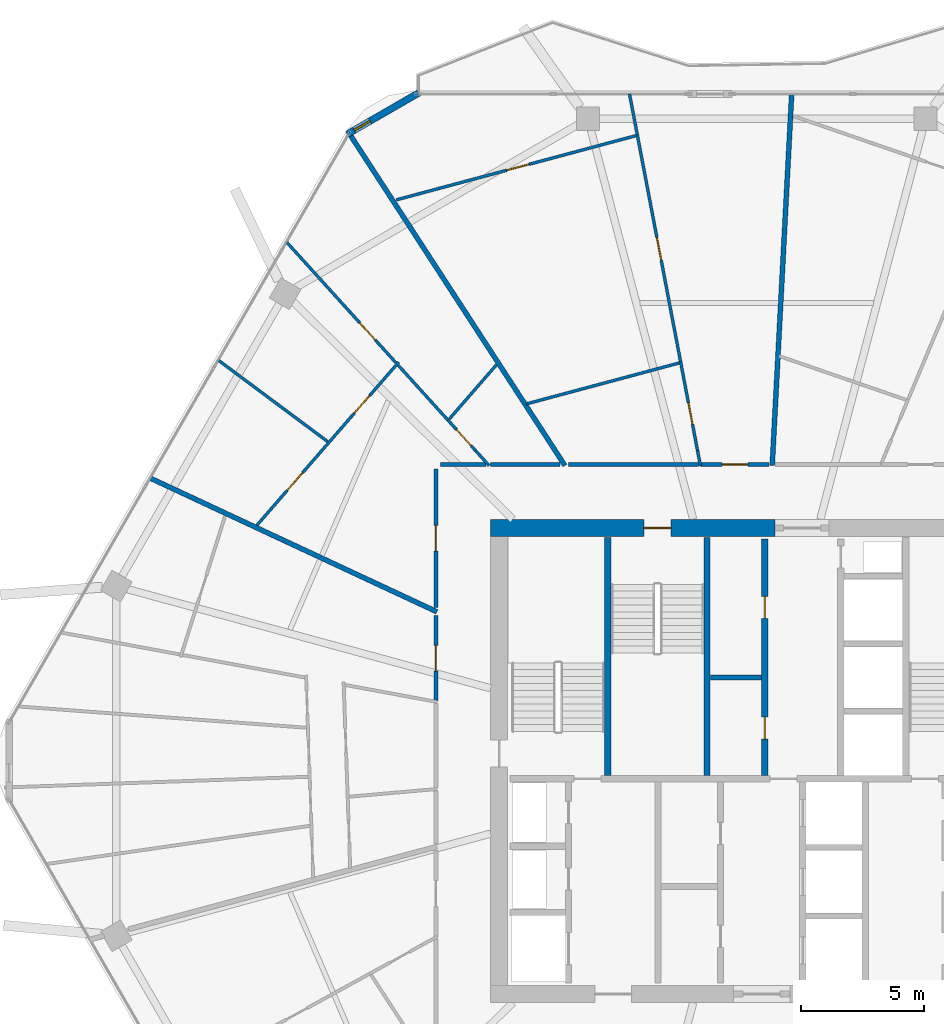
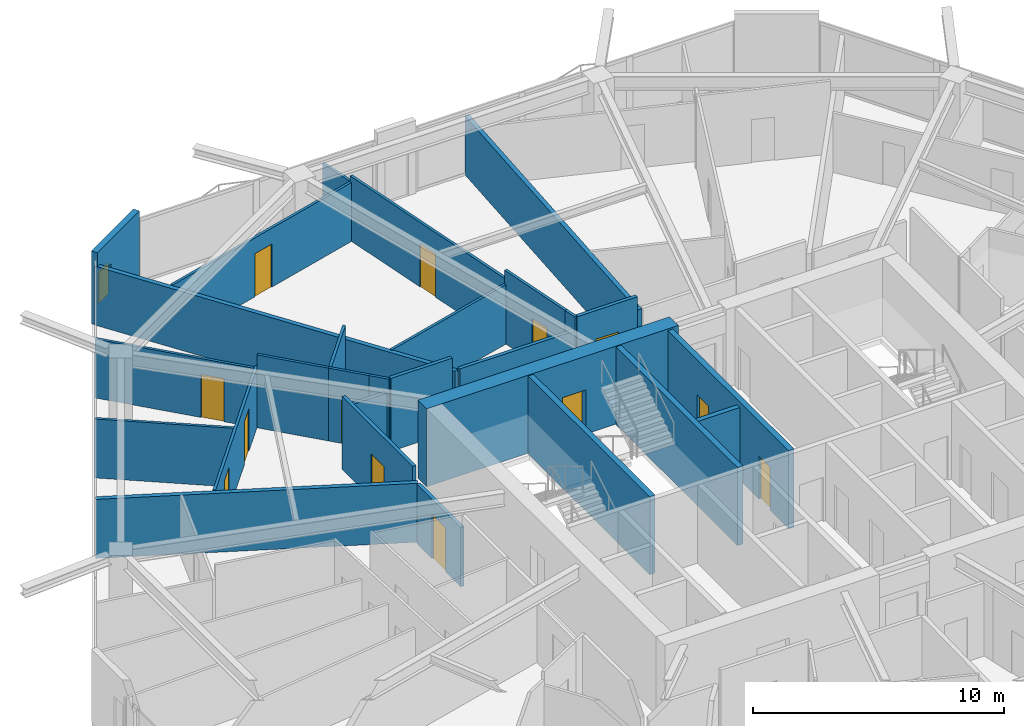
# One storey, part 22 of 27: 28 walls, 13 doors, 1 window, 14 openings.
"""IFC4 building model written with IfcOpenShell, lengths in metres."""

from ifc_helpers import new_model, si_unit, direction, frame, frame_2d, origin, place, context, subcontext, project, spatial, rectangle, extrude, material, layer, layer_set, type_object, element, fill, save


model = new_model("IFC4")

# Units and contexts
model_context = context("Model", 3, precision=1e-05, world=origin(), true_north=direction((0.0, 1.0)))
body_context = subcontext(model_context, "Body", "Model", "MODEL_VIEW")
ifc_project = project(units=[si_unit("LENGTHUNIT", "METRE"), si_unit("AREAUNIT", "SQUARE_METRE"), si_unit("VOLUMEUNIT", "CUBIC_METRE"), si_unit("PLANEANGLEUNIT", "RADIAN"), si_unit("MASSUNIT", "GRAM", prefix="KILO")], contexts=[model_context])

# Site, building, storey
site_placement = place(None, origin())
site = spatial("IfcSite", under=ifc_project, at=site_placement, CompositionType="ELEMENT")
building_placement = place(site_placement, origin())
building = spatial("IfcBuilding", under=site, at=building_placement, Name="Zuhravey Tower", CompositionType="ELEMENT")
storey_placement = place(building_placement, frame((0.0, 0.0, 218.800048828125)))
storey = spatial("IfcBuildingStorey", under=building, at=storey_placement, Name="L55", CompositionType="ELEMENT", Elevation=218.800048828125)

# Wall, opening, door
ifc_material_1 = material(Name="Concrete C60/75", Category="concrete")
ifc_layer_1 = layer(ifc_material_1, 0.699951171875)
ifc_layer_set_1 = layer_set([ifc_layer_1], Name="Concrete C60/75")
wall_type_1 = type_object("IfcWallType", Name="Core Shear Wall 700", PredefinedType="SHEAR", material=ifc_layer_set_1)
wall_1_placement = place(storey_placement, frame((36.75, 41.5, 0.0), z_axis=(0.0, 0.0, 1.0), x_axis=(-1.0, 0.0, 0.0)))
wall_1 = element("IfcWall", 1, at=wall_1_placement, inside=storey, type_object=wall_type_1, Name="L55 North-West Core Shear Wall CW70", PredefinedType="SHEAR", context=body_context, shape_type="SweptSolid", body=[
    extrude(rectangle(XDim=11.60009765625, YDim=0.699951171875, at=frame_2d((5.800048828125, 0.0))), origin(), (0.0, 0.0, 1.0), 3.800048828125),
])
opening_1_placement = place(wall_1_placement, frame((4.25, 0.0, 0.0)))
opening_1 = element("IfcOpeningElement", 2, at=opening_1_placement, cuts=wall_1, Name="Opening STD1", PredefinedType="OPENING", context=body_context, shape_type="SweptSolid", body=[
    extrude(rectangle(XDim=1.10009765625, YDim=2.14990234375, at=frame_2d((0.550048828125, 1.074951171875))), frame((0.0, 0.362060546875, 0.0), z_axis=(0.0, -1.0, 0.0), x_axis=(1.0, 0.0, 0.0)), (0.0, 0.0, 1.0), 0.723876953125),
])
ifc_material_2 = material(Name="Galvanised fire-rated steel leaf", Category="steel")
door_type_1 = type_object("IfcDoorType", Name="Protected Stair Fire Door 1100x2150", OperationType="NOTDEFINED", PredefinedType="USERDEFINED", material=ifc_material_2)
door_1_placement = place(opening_1_placement, origin())
door_1 = element("IfcDoor", 3, at=door_1_placement, inside=storey, type_object=door_type_1, Name="L55 Stair ST3 Door", ObjectType="EXITDOOR", OperationType="SINGLE_SWING_LEFT", OverallHeight=2.14990234375, OverallWidth=1.10009765625, PredefinedType="USERDEFINED", context=body_context, shape_type="SweptSolid", body=[
    extrude(rectangle(XDim=1.10009765625, YDim=2.14990234375, at=frame_2d((0.550048828125, 1.074951171875))), frame((0.0, 0.02490234375, 0.0), z_axis=(0.0, -1.0, 0.0), x_axis=(1.0, 0.0, 0.0)), (0.0, 0.0, 1.0), 0.050048828125),
])
fill(opening_1, door_1)

ifc_material_3 = material(Name="Gypsum fire-rated stud partition")
ifc_layer_2 = layer(ifc_material_3, 0.159912109375)
ifc_layer_set_2 = layer_set([ifc_layer_2], Name="Gypsum fire-rated stud partition")
wall_type_2 = type_object("IfcWallType", Name="Corridor Fire Partition 160", PredefinedType="PARTITIONING", material=ifc_layer_set_2)
wall_2_placement = place(storey_placement, frame((36.50732421875, 44.080078125, 0.0), z_axis=(0.0, 0.0, 1.0), x_axis=(-1.0, 0.0, 0.0)))
wall_2 = element("IfcWall", 4, at=wall_2_placement, inside=storey, type_object=wall_type_2, Name="L55 IW16 Partition 034", PredefinedType="PARTITIONING", context=body_context, shape_type="SweptSolid", body=[
    extrude(rectangle(XDim=2.791259765625, YDim=0.159912109375, at=frame_2d((1.3955078125, 0.0))), origin(), (0.0, 0.0, 1.0), 3.550048828125),
])
opening_2_placement = place(wall_2_placement, frame((0.87060546875, 0.0, 0.0)))
opening_2 = element("IfcOpeningElement", 5, at=opening_2_placement, cuts=wall_2, Name="Opening APD1", PredefinedType="OPENING", context=body_context, shape_type="SweptSolid", body=[
    extrude(rectangle(XDim=1.050048828125, YDim=2.14990234375, at=frame_2d((0.52490234375, 1.074951171875))), frame((0.0, 0.092041015625, 0.0), z_axis=(0.0, -1.0, 0.0), x_axis=(1.0, 0.0, 0.0)), (0.0, 0.0, 1.0), 0.183837890625),
])
ifc_material_4 = material(Name="Solid-core oak fire-rated leaf")
door_type_2 = type_object("IfcDoorType", Name="Apartment Entrance Fire Door 1050x2150", OperationType="NOTDEFINED", PredefinedType="DOOR", material=ifc_material_4)
door_2_placement = place(opening_2_placement, frame((1.050048828125, 0.0, 0.0), z_axis=(0.0, 0.0, 1.0), x_axis=(-1.0, 0.0, 0.0)))
door_2 = element("IfcDoor", 6, at=door_2_placement, inside=storey, type_object=door_type_2, Name="L55 Door 034.1", OperationType="SINGLE_SWING_LEFT", OverallHeight=2.14990234375, OverallWidth=1.050048828125, PredefinedType="DOOR", context=body_context, shape_type="SweptSolid", body=[
    extrude(rectangle(XDim=1.050048828125, YDim=2.14990234375, at=frame_2d((0.52490234375, 1.074951171875))), frame((0.0, 0.02490234375, 0.0), z_axis=(0.0, -1.0, 0.0), x_axis=(1.0, 0.0, 0.0)), (0.0, 0.0, 1.0), 0.050048828125),
])
fill(opening_2, door_2)

wall_3_placement = place(storey_placement, frame((22.919921875, 43.89990234375, 0.0), z_axis=(0.0, 0.0, 1.0), x_axis=(0.0, -1.0, 0.0)))
wall_3 = element("IfcWall", 7, at=wall_3_placement, inside=storey, type_object=wall_type_2, Name="L55 IW16 Partition 039", PredefinedType="PARTITIONING", context=body_context, shape_type="SweptSolid", body=[
    extrude(rectangle(XDim=5.638916015625, YDim=0.159912109375, at=frame_2d((2.8193359375, 0.0))), origin(), (0.0, 0.0, 1.0), 3.550048828125),
])
opening_3_placement = place(wall_3_placement, frame((2.29443359375, 0.0, 0.0)))
opening_3 = element("IfcOpeningElement", 8, at=opening_3_placement, cuts=wall_3, Name="Opening APD1", PredefinedType="OPENING", context=body_context, shape_type="SweptSolid", body=[
    extrude(rectangle(XDim=1.050048828125, YDim=2.14990234375, at=frame_2d((0.52490234375, 1.074951171875))), frame((0.0, 0.092041015625, 0.0), z_axis=(0.0, -1.0, 0.0), x_axis=(1.0, 0.0, 0.0)), (0.0, 0.0, 1.0), 0.183837890625),
])
door_3_placement = place(opening_3_placement, frame((1.050048828125, 0.0, 0.0), z_axis=(0.0, 0.0, 1.0), x_axis=(-1.0, 0.0, 0.0)))
door_3 = element("IfcDoor", 9, at=door_3_placement, inside=storey, type_object=door_type_2, Name="L55 Door 039.1", OperationType="SINGLE_SWING_RIGHT", OverallHeight=2.14990234375, OverallWidth=1.050048828125, PredefinedType="DOOR", context=body_context, shape_type="SweptSolid", body=[
    extrude(rectangle(XDim=1.050048828125, YDim=2.14990234375, at=frame_2d((0.52490234375, 1.074951171875))), frame((0.0, 0.02490234375, 0.0), z_axis=(0.0, -1.0, 0.0), x_axis=(1.0, 0.0, 0.0)), (0.0, 0.0, 1.0), 0.050048828125),
])
fill(opening_3, door_3)

wall_4_placement = place(storey_placement, frame((22.919921875, 37.93896484375, 0.0), z_axis=(0.0, 0.0, 1.0), x_axis=(0.0, -1.0, 0.0)))
wall_4 = element("IfcWall", 10, at=wall_4_placement, inside=storey, type_object=wall_type_2, Name="L55 IW16 Partition 043", PredefinedType="PARTITIONING", context=body_context, shape_type="SweptSolid", body=[
    extrude(rectangle(XDim=3.50390625, YDim=0.159912109375, at=frame_2d((1.751953125, 0.0))), origin(), (0.0, 0.0, 1.0), 2.89990234375),
])
opening_4_placement = place(wall_4_placement, frame((1.226806640625, 0.0, 0.0)))
opening_4 = element("IfcOpeningElement", 11, at=opening_4_placement, cuts=wall_4, Name="Opening APD1", PredefinedType="OPENING", context=body_context, shape_type="SweptSolid", body=[
    extrude(rectangle(XDim=1.050048828125, YDim=2.14990234375, at=frame_2d((0.52490234375, 1.074951171875))), frame((0.0, 0.092041015625, 0.0), z_axis=(0.0, -1.0, 0.0), x_axis=(1.0, 0.0, 0.0)), (0.0, 0.0, 1.0), 0.183837890625),
])
door_4_placement = place(opening_4_placement, frame((1.050048828125, 0.0, 0.0), z_axis=(0.0, 0.0, 1.0), x_axis=(-1.0, 0.0, 0.0)))
door_4 = element("IfcDoor", 12, at=door_4_placement, inside=storey, type_object=door_type_2, Name="L55 Door 043.1", OperationType="SINGLE_SWING_RIGHT", OverallHeight=2.14990234375, OverallWidth=1.050048828125, PredefinedType="DOOR", context=body_context, shape_type="SweptSolid", body=[
    extrude(rectangle(XDim=1.050048828125, YDim=2.14990234375, at=frame_2d((0.52490234375, 1.074951171875))), frame((0.0, 0.02490234375, 0.0), z_axis=(0.0, -1.0, 0.0), x_axis=(1.0, 0.0, 0.0)), (0.0, 0.0, 1.0), 0.050048828125),
])
fill(opening_4, door_4)

# Walls
wall_5_placement = place(storey_placement, frame((33.62646484375, 44.080078125, 0.0), z_axis=(0.0, 0.0, 1.0), x_axis=(-1.0, 0.0, 0.0)))
element("IfcWall", 13, at=wall_5_placement, inside=storey, type_object=wall_type_2, Name="L55 IW16 Partition 116", PredefinedType="PARTITIONING", context=body_context, shape_type="SweptSolid", body=[
    extrude(rectangle(XDim=5.298583984375, YDim=0.159912109375, at=frame_2d((2.6494140625, 0.0))), origin(), (0.0, 0.0, 1.0), 2.89990234375),
])
wall_6_placement = place(storey_placement, frame((24.96240234375, 44.080078125, 0.0), z_axis=(0.0, 0.0, 1.0), x_axis=(-1.0, 0.0, 0.0)))
element("IfcWall", 14, at=wall_6_placement, inside=storey, type_object=wall_type_2, Name="L55 IW16 Partition 117", PredefinedType="PARTITIONING", context=body_context, shape_type="SweptSolid", body=[
    extrude(rectangle(XDim=1.8623046875, YDim=0.159912109375, at=frame_2d((0.93115234375, 0.0))), origin(), (0.0, 0.0, 1.0), 2.89990234375),
])
wall_7_placement = place(storey_placement, frame((27.98046875, 44.080078125, 0.0), z_axis=(0.0, 0.0, 1.0), x_axis=(-1.0, 0.0, 0.0)))
element("IfcWall", 15, at=wall_7_placement, inside=storey, type_object=wall_type_2, Name="L55 IW16 Partition 118", PredefinedType="PARTITIONING", context=body_context, shape_type="SweptSolid", body=[
    extrude(rectangle(XDim=2.835693359375, YDim=0.159912109375, at=frame_2d((1.41796875, 0.0))), origin(), (0.0, 0.0, 1.0), 3.550048828125),
])

# Wall, opening, window
ifc_material_5 = material(Name="Precast concrete C40/50", Category="concrete")
ifc_layer_3 = layer(ifc_material_5, 0.280029296875)
ifc_layer_set_3 = layer_set([ifc_layer_3], Name="Precast concrete C40/50")
wall_type_3 = type_object("IfcWallType", Name="Crown Architectural Wall 280", PredefinedType="SOLIDWALL", material=ifc_layer_set_3)
wall_8_placement = place(storey_placement, frame((19.306884765625, 57.548095703125, 0.0), z_axis=(0.0, 0.0, 1.0), x_axis=(0.866020068361, 0.500009241111, 0.0)))
wall_8 = element("IfcWall", 16, at=wall_8_placement, inside=storey, type_object=wall_type_3, Name="L55 Rounded Corner Closure Wall EW28-08", PredefinedType="SOLIDWALL", context=body_context, shape_type="SweptSolid", body=[
    extrude(rectangle(XDim=3.365234375, YDim=0.280029296875, at=frame_2d((1.6826171875, 0.0))), origin(), (0.0, 0.0, 1.0), 3.550048828125),
])
opening_5_placement = place(wall_8_placement, frame((0.326416015625, 0.0, 0.85009765625)))
opening_5 = element("IfcOpeningElement", 17, at=opening_5_placement, cuts=wall_8, Name="Opening WN5", PredefinedType="OPENING", context=body_context, shape_type="SweptSolid", body=[
    extrude(rectangle(XDim=0.75, YDim=1.5, at=frame_2d((0.375, 0.75))), frame((0.0, 0.152099609375, 0.0), z_axis=(0.0, -1.0, 0.0), x_axis=(1.0, 0.0, 0.0)), (0.0, 0.0, 1.0), 0.303955078125),
])
ifc_material_6 = material(Name="Thermally broken aluminium and triple low-E glass", Category="aluminium")
window_type = type_object("IfcWindowType", Name="Residential Corner Casement Window 750x1500", PartitioningType="SINGLE_PANEL", PredefinedType="WINDOW", material=ifc_material_6)
window_placement = place(opening_5_placement, origin())
window = element("IfcWindow", 18, at=window_placement, inside=storey, type_object=window_type, Name="L55 Corner Casement Window WN5-08.1", OverallHeight=1.5, OverallWidth=0.75, PartitioningType="SINGLE_PANEL", PredefinedType="WINDOW", context=body_context, shape_type="SweptSolid", body=[
    extrude(rectangle(XDim=0.75, YDim=1.5, at=frame_2d((0.375, 0.75))), frame((0.0, 0.030029296875, 0.0), z_axis=(0.0, -1.0, 0.0), x_axis=(1.0, 0.0, 0.0)), (0.0, 0.0, 1.0), 0.06005859375),
])
fill(opening_5, window)

# Walls
ifc_material_7 = material(Name="Concrete C50/60", Category="concrete")
ifc_layer_4 = layer(ifc_material_7, 0.25)
ifc_layer_set_4 = layer_set([ifc_layer_4], Name="Concrete C50/60")
wall_type_4 = type_object("IfcWallType", Name="Firefighting Shaft & Stair Wall 250", PredefinedType="SOLIDWALL", material=ifc_layer_set_4)
for number, where, z_axis, x_axis, name in (
    (19, (29.925048828125, 31.39990234375, 0.0), (0.0, 0.0, 1.0), (0.0, 1.0, 0.0), "L55 FW25 Shaft Wall 004"),
    (20, (33.97509765625, 31.39990234375, 0.0), (0.0, 0.0, 1.0), (0.0, 1.0, 0.0), "L55 FW25 Shaft Wall 005"),
):
    element("IfcWall", number, at=place(storey_placement, frame(where, z_axis=z_axis, x_axis=x_axis)), inside=storey, type_object=wall_type_4, Name=name, PredefinedType="SOLIDWALL", context=body_context, shape_type="SweptSolid", body=[
        extrude(rectangle(XDim=9.7001953125, YDim=0.25, at=frame_2d((4.85009765625, 0.0))), origin(), (0.0, 0.0, 1.0), 3.800048828125),
    ])

# Wall, openings, doors
wall_9_placement = place(storey_placement, frame((36.324951171875, 31.39990234375, 0.0), z_axis=(0.0, 0.0, 1.0), x_axis=(0.0, 1.0, 0.0)))
wall_9 = element("IfcWall", 21, at=wall_9_placement, inside=storey, type_object=wall_type_4, Name="L55 FW25 Shaft Wall 007", PredefinedType="SOLIDWALL", context=body_context, shape_type="SweptSolid", body=[
    extrude(rectangle(XDim=9.650146484375, YDim=0.25, at=frame_2d((4.8251953125, 0.0))), origin(), (0.0, 0.0, 1.0), 3.800048828125),
])
opening_6_placement = place(wall_9_placement, frame((1.489990234375, 0.0, 0.0)))
opening_6 = element("IfcOpeningElement", 22, at=opening_6_placement, cuts=wall_9, Name="Opening RSD1", PredefinedType="OPENING", context=body_context, shape_type="SweptSolid", body=[
    extrude(rectangle(XDim=0.89990234375, YDim=2.10009765625, at=frame_2d((0.449951171875, 1.050048828125))), frame((0.0, 0.136962890625, 0.0), z_axis=(0.0, -1.0, 0.0), x_axis=(1.0, 0.0, 0.0)), (0.0, 0.0, 1.0), 0.27392578125),
])
opening_7_placement = place(wall_9_placement, frame((6.409912109375, 0.0, 0.0)))
opening_7 = element("IfcOpeningElement", 23, at=opening_7_placement, cuts=wall_9, Name="Opening RSD1", PredefinedType="OPENING", context=body_context, shape_type="SweptSolid", body=[
    extrude(rectangle(XDim=0.89990234375, YDim=2.10009765625, at=frame_2d((0.449951171875, 1.050048828125))), frame((0.0, 0.136962890625, 0.0), z_axis=(0.0, -1.0, 0.0), x_axis=(1.0, 0.0, 0.0)), (0.0, 0.0, 1.0), 0.27392578125),
])
ifc_material_8 = material(Name="Galvanised fire-rated steel access leaf", Category="steel")
door_type_3 = type_object("IfcDoorType", Name="Riser & Shaft Access Fire Door 900x2100", OperationType="NOTDEFINED", PredefinedType="DOOR", material=ifc_material_8)
door_5_placement = place(opening_6_placement, origin())
door_5 = element("IfcDoor", 24, at=door_5_placement, inside=storey, type_object=door_type_3, Name="L55 Core Cleaner Store Door", OperationType="SINGLE_SWING_LEFT", OverallHeight=2.10009765625, OverallWidth=0.89990234375, PredefinedType="DOOR", context=body_context, shape_type="SweptSolid", body=[
    extrude(rectangle(XDim=0.89990234375, YDim=2.10009765625, at=frame_2d((0.449951171875, 1.050048828125))), frame((0.0, 0.02490234375, 0.0), z_axis=(0.0, -1.0, 0.0), x_axis=(1.0, 0.0, 0.0)), (0.0, 0.0, 1.0), 0.050048828125),
])
fill(opening_6, door_5)
door_6_placement = place(opening_7_placement, origin())
door_6 = element("IfcDoor", 25, at=door_6_placement, inside=storey, type_object=door_type_3, Name="L55 Core Pantry and Tea Room Door", OperationType="SINGLE_SWING_RIGHT", OverallHeight=2.10009765625, OverallWidth=0.89990234375, PredefinedType="DOOR", context=body_context, shape_type="SweptSolid", body=[
    extrude(rectangle(XDim=0.89990234375, YDim=2.10009765625, at=frame_2d((0.449951171875, 1.050048828125))), frame((0.0, 0.02490234375, 0.0), z_axis=(0.0, -1.0, 0.0), x_axis=(1.0, 0.0, 0.0)), (0.0, 0.0, 1.0), 0.050048828125),
])
fill(opening_7, door_6)

# Walls
ifc_material_9 = material(Name="Gypsum double-stud party assembly")
ifc_layer_5 = layer(ifc_material_9, 0.199951171875)
ifc_layer_set_5 = layer_set([ifc_layer_5], Name="Gypsum double-stud party assembly")
wall_type_5 = type_object("IfcWallType", Name="Inter-Tenancy Party Wall 200", PredefinedType="PARTITIONING", material=ifc_layer_set_5)
wall_10_placement = place(storey_placement, frame((36.631103515625, 44.0400390625, 0.0), z_axis=(0.0, 0.0, 1.0), x_axis=(0.052325601384, 0.998630077376, 0.0)))
element("IfcWall", 26, at=wall_10_placement, inside=storey, type_object=wall_type_5, Name="L55 IW20 Partition 079", PredefinedType="PARTITIONING", context=body_context, shape_type="SweptSolid", body=[
    extrude(rectangle(XDim=15.163818359375, YDim=0.199951171875, at=frame_2d((7.58203125, 0.0))), origin(), (0.0, 0.0, 1.0), 2.869873046875),
])
wall_11_placement = place(storey_placement, frame((28.18115234375, 44.0400390625, 0.0), z_axis=(0.0, 0.0, 1.0), x_axis=(-0.54463871909, 0.838670773109, 0.0)))
element("IfcWall", 27, at=wall_11_placement, inside=storey, type_object=wall_type_5, Name="L55 IW20 Partition 083", PredefinedType="PARTITIONING", context=body_context, shape_type="SweptSolid", body=[
    extrude(rectangle(XDim=16.152099609375, YDim=0.199951171875, at=frame_2d((8.076171875, 0.0))), origin(), (0.0, 0.0, 1.0), 2.869873046875),
])
wall_12_placement = place(storey_placement, frame((22.9599609375, 38.080810546875, 0.0), z_axis=(0.0, 0.0, 1.0), x_axis=(-0.906312686975, 0.422607753629, 0.0)))
element("IfcWall", 28, at=wall_12_placement, inside=storey, type_object=wall_type_5, Name="L55 IW20 Partition 087", PredefinedType="PARTITIONING", context=body_context, shape_type="SweptSolid", body=[
    extrude(rectangle(XDim=12.89892578125, YDim=0.199951171875, at=frame_2d((6.449462890625, 0.0))), origin(), (0.0, 0.0, 1.0), 2.869873046875),
])
ifc_material_10 = material(Name="Gypsum acoustic stud assembly")
ifc_layer_6 = layer(ifc_material_10, 0.219970703125)
ifc_layer_set_6 = layer_set([ifc_layer_6], Name="Gypsum acoustic stud assembly")
wall_type_6 = type_object("IfcWallType", Name="School Acoustic Compartment Wall 220", PredefinedType="PARTITIONING", material=ifc_layer_set_6)
wall_13_placement = place(storey_placement, frame((34.10791015625, 35.39990234375, 0.0), z_axis=(0.0, 0.0, 1.0), x_axis=(1.0, 0.0, 0.0)))
element("IfcWall", 29, at=wall_13_placement, inside=storey, type_object=wall_type_6, Name="L55 IW22 Partition 063", PredefinedType="PARTITIONING", context=body_context, shape_type="SweptSolid", body=[
    extrude(rectangle(XDim=2.083984375, YDim=0.219970703125, at=frame_2d((1.0419921875, 0.0))), origin(), (0.0, 0.0, 1.0), 3.550048828125),
])

# Wall, opening, door
ifc_material_11 = material(Name="Gypsum metal-stud partition")
ifc_layer_7 = layer(ifc_material_11, 0.1201171875)
ifc_layer_set_7 = layer_set([ifc_layer_7], Name="Gypsum metal-stud partition")
wall_type_7 = type_object("IfcWallType", Name="Unit Internal Partition 120", PredefinedType="PARTITIONING", material=ifc_layer_set_7)
wall_14_placement = place(storey_placement, frame((33.5869140625, 44.64990234375, 0.0), z_axis=(0.0, 0.0, 1.0), x_axis=(-0.187380416109, 0.982287422122, 0.0)))
wall_14 = element("IfcWall", 30, at=wall_14_placement, inside=storey, type_object=wall_type_7, Name="L55 IW12 Partition 031", PredefinedType="PARTITIONING", context=body_context, shape_type="SweptSolid", body=[
    extrude(rectangle(XDim=3.679443359375, YDim=0.1201171875, at=frame_2d((1.83984375, 0.0))), origin(), (0.0, 0.0, 1.0), 3.550048828125),
])
opening_8_placement = place(wall_14_placement, frame((1.09521484375, 0.0, 0.0)))
opening_8 = element("IfcOpeningElement", 31, at=opening_8_placement, cuts=wall_14, Name="Opening WCD1", PredefinedType="OPENING", context=body_context, shape_type="SweptSolid", body=[
    extrude(rectangle(XDim=0.89990234375, YDim=2.10009765625, at=frame_2d((0.449951171875, 1.050048828125))), frame((0.0, 0.072021484375, 0.0), z_axis=(0.0, -1.0, 0.0), x_axis=(1.0, 0.0, 0.0)), (0.0, 0.0, 1.0), 0.14404296875),
])
ifc_material_12 = material(Name="Moisture-resistant timber leaf", Category="wood")
door_type_4 = type_object("IfcDoorType", Name="Bathroom & WC Internal Door 900x2100", OperationType="NOTDEFINED", PredefinedType="DOOR", material=ifc_material_12)
door_7_placement = place(opening_8_placement, origin())
door_7 = element("IfcDoor", 32, at=door_7_placement, inside=storey, type_object=door_type_4, Name="Apartment L55-03 Bathroom Door", OperationType="SINGLE_SWING_RIGHT", OverallHeight=2.10009765625, OverallWidth=0.89990234375, PredefinedType="DOOR", context=body_context, shape_type="SweptSolid", body=[
    extrude(rectangle(XDim=0.89990234375, YDim=2.10009765625, at=frame_2d((0.449951171875, 1.050048828125))), frame((0.0, 0.02490234375, 0.0), z_axis=(0.0, -1.0, 0.0), x_axis=(1.0, 0.0, 0.0)), (0.0, 0.0, 1.0), 0.050048828125),
])
fill(opening_8, door_7)

wall_15_placement = place(storey_placement, frame((32.8974609375, 48.26416015625, 0.0), z_axis=(0.0, 0.0, 1.0), x_axis=(-0.187382109983, 0.982287098998, 0.0)))
wall_15 = element("IfcWall", 33, at=wall_15_placement, inside=storey, type_object=wall_type_7, Name="L55 IW12 Partition 032", PredefinedType="PARTITIONING", context=body_context, shape_type="SweptSolid", body=[
    extrude(rectangle(XDim=9.431640625, YDim=0.1201171875, at=frame_2d((4.7158203125, 0.0))), origin(), (0.0, 0.0, 1.0), 3.14990234375),
])
opening_9_placement = place(wall_15_placement, frame((4.2158203125, 0.0, 0.0)))
opening_9 = element("IfcOpeningElement", 34, at=opening_9_placement, cuts=wall_15, Name="Opening IND1", PredefinedType="OPENING", context=body_context, shape_type="SweptSolid", body=[
    extrude(rectangle(XDim=0.949951171875, YDim=2.10009765625, at=frame_2d((0.47509765625, 1.050048828125))), frame((0.0, 0.072021484375, 0.0), z_axis=(0.0, -1.0, 0.0), x_axis=(1.0, 0.0, 0.0)), (0.0, 0.0, 1.0), 0.14404296875),
])
ifc_material_13 = material(Name="Painted engineered timber leaf", Category="wood")
door_type_5 = type_object("IfcDoorType", Name="Internal Room & Bedroom Door 950x2100", OperationType="NOTDEFINED", PredefinedType="DOOR", material=ifc_material_13)
door_8_placement = place(opening_9_placement, origin())
door_8 = element("IfcDoor", 35, at=door_8_placement, inside=storey, type_object=door_type_5, Name="Apartment L55-03 Home Office Door", OperationType="SINGLE_SWING_LEFT", OverallHeight=2.10009765625, OverallWidth=0.949951171875, PredefinedType="DOOR", context=body_context, shape_type="SweptSolid", body=[
    extrude(rectangle(XDim=0.949951171875, YDim=2.10009765625, at=frame_2d((0.47509765625, 1.050048828125))), frame((0.0, 0.02490234375, 0.0), z_axis=(0.0, -1.0, 0.0), x_axis=(1.0, 0.0, 0.0)), (0.0, 0.0, 1.0), 0.050048828125),
])
fill(opening_9, door_8)

wall_16_placement = place(storey_placement, frame((31.06884765625, 57.48681640625, 0.0), z_axis=(0.0, 0.0, 1.0), x_axis=(-0.965920975917, -0.258837146257, 0.0)))
wall_16 = element("IfcWall", 36, at=wall_16_placement, inside=storey, type_object=wall_type_7, Name="L55 IW12 Partition 033", PredefinedType="PARTITIONING", context=body_context, shape_type="SweptSolid", body=[
    extrude(rectangle(XDim=10.102783203125, YDim=0.1201171875, at=frame_2d((5.05126953125, 0.0))), origin(), (0.0, 0.0, 1.0), 2.869873046875),
])
opening_10_placement = place(wall_16_placement, frame((4.4921875, 0.0, 0.0)))
opening_10 = element("IfcOpeningElement", 37, at=opening_10_placement, cuts=wall_16, Name="Opening IND1", PredefinedType="OPENING", context=body_context, shape_type="SweptSolid", body=[
    extrude(rectangle(XDim=0.949951171875, YDim=2.10009765625, at=frame_2d((0.47509765625, 1.050048828125))), frame((0.0, 0.072021484375, 0.0), z_axis=(0.0, -1.0, 0.0), x_axis=(1.0, 0.0, 0.0)), (0.0, 0.0, 1.0), 0.14404296875),
])
door_9_placement = place(opening_10_placement, frame((0.949951171875, 0.0, 0.0), z_axis=(0.0, 0.0, 1.0), x_axis=(-1.0, 0.0, 0.0)))
door_9 = element("IfcDoor", 38, at=door_9_placement, inside=storey, type_object=door_type_5, Name="Apartment L55-03 Bedroom 1 Door", OperationType="SINGLE_SWING_RIGHT", OverallHeight=2.10009765625, OverallWidth=0.949951171875, PredefinedType="DOOR", context=body_context, shape_type="SweptSolid", body=[
    extrude(rectangle(XDim=0.949951171875, YDim=2.10009765625, at=frame_2d((0.47509765625, 1.050048828125))), frame((0.0, 0.02490234375, 0.0), z_axis=(0.0, -1.0, 0.0), x_axis=(1.0, 0.0, 0.0)), (0.0, 0.0, 1.0), 0.050048828125),
])
fill(opening_10, door_9)

# Wall, openings, doors
wall_17_placement = place(storey_placement, frame((21.405029296875, 48.25634765625, 0.0), z_axis=(0.0, 0.0, 1.0), x_axis=(-0.656056582119, -0.754711707249, 0.0)))
wall_17 = element("IfcWall", 39, at=wall_17_placement, inside=storey, type_object=wall_type_7, Name="L55 IW12 Partition 035", PredefinedType="PARTITIONING", context=body_context, shape_type="SweptSolid", body=[
    extrude(rectangle(XDim=8.809814453125, YDim=0.1201171875, at=frame_2d((4.40478515625, 0.0))), origin(), (0.0, 0.0, 1.0), 2.89990234375),
])
opening_11_placement = place(wall_17_placement, frame((1.814697265625, 0.0, 0.0)))
opening_11 = element("IfcOpeningElement", 40, at=opening_11_placement, cuts=wall_17, Name="Opening IND1", PredefinedType="OPENING", context=body_context, shape_type="SweptSolid", body=[
    extrude(rectangle(XDim=0.949951171875, YDim=2.10009765625, at=frame_2d((0.47509765625, 1.050048828125))), frame((0.0, 0.072021484375, 0.0), z_axis=(0.0, -1.0, 0.0), x_axis=(1.0, 0.0, 0.0)), (0.0, 0.0, 1.0), 0.14404296875),
])
opening_12_placement = place(wall_17_placement, frame((5.9794921875, 0.0, 0.0)))
opening_12 = element("IfcOpeningElement", 41, at=opening_12_placement, cuts=wall_17, Name="Opening IND1", PredefinedType="OPENING", context=body_context, shape_type="SweptSolid", body=[
    extrude(rectangle(XDim=0.949951171875, YDim=2.10009765625, at=frame_2d((0.47509765625, 1.050048828125))), frame((0.0, 0.072021484375, 0.0), z_axis=(0.0, -1.0, 0.0), x_axis=(1.0, 0.0, 0.0)), (0.0, 0.0, 1.0), 0.14404296875),
])
door_10_placement = place(opening_11_placement, frame((0.949951171875, 0.0, 0.0), z_axis=(0.0, 0.0, 1.0), x_axis=(-1.0, 0.0, 0.0)))
door_10 = element("IfcDoor", 42, at=door_10_placement, inside=storey, type_object=door_type_5, Name="Apartment L55-04 Family Study Door", OperationType="SINGLE_SWING_RIGHT", OverallHeight=2.10009765625, OverallWidth=0.949951171875, PredefinedType="DOOR", context=body_context, shape_type="SweptSolid", body=[
    extrude(rectangle(XDim=0.949951171875, YDim=2.10009765625, at=frame_2d((0.47509765625, 1.050048828125))), frame((0.0, 0.02490234375, 0.0), z_axis=(0.0, -1.0, 0.0), x_axis=(1.0, 0.0, 0.0)), (0.0, 0.0, 1.0), 0.050048828125),
])
fill(opening_11, door_10)
door_11_placement = place(opening_12_placement, frame((0.949951171875, 0.0, 0.0), z_axis=(0.0, 0.0, 1.0), x_axis=(-1.0, 0.0, 0.0)))
door_11 = element("IfcDoor", 43, at=door_11_placement, inside=storey, type_object=door_type_5, Name="Apartment L55-04 Dining Room Door", OperationType="SINGLE_SWING_LEFT", OverallHeight=2.10009765625, OverallWidth=0.949951171875, PredefinedType="DOOR", context=body_context, shape_type="SweptSolid", body=[
    extrude(rectangle(XDim=0.949951171875, YDim=2.10009765625, at=frame_2d((0.47509765625, 1.050048828125))), frame((0.0, 0.02490234375, 0.0), z_axis=(0.0, -1.0, 0.0), x_axis=(1.0, 0.0, 0.0)), (0.0, 0.0, 1.0), 0.050048828125),
])
fill(opening_12, door_11)

# Wall, opening, door
wall_18_placement = place(storey_placement, frame((24.53759765625, 44.64990234375, 0.0), z_axis=(0.0, 0.0, 1.0), x_axis=(-0.671412772052, 0.741083591456, 0.0)))
wall_18 = element("IfcWall", 44, at=wall_18_placement, inside=storey, type_object=wall_type_7, Name="L55 IW12 Partition 036", PredefinedType="PARTITIONING", context=body_context, shape_type="SweptSolid", body=[
    extrude(rectangle(XDim=1.68896484375, YDim=0.1201171875, at=frame_2d((0.844482421875, 0.0))), origin(), (0.0, 0.0, 1.0), 3.550048828125),
])
opening_13_placement = place(wall_18_placement, frame((0.259521484375, 0.0, 0.0)))
opening_13 = element("IfcOpeningElement", 45, at=opening_13_placement, cuts=wall_18, Name="Opening WCD1", PredefinedType="OPENING", context=body_context, shape_type="SweptSolid", body=[
    extrude(rectangle(XDim=0.89990234375, YDim=2.10009765625, at=frame_2d((0.449951171875, 1.050048828125))), frame((0.0, 0.072021484375, 0.0), z_axis=(0.0, -1.0, 0.0), x_axis=(1.0, 0.0, 0.0)), (0.0, 0.0, 1.0), 0.14404296875),
])
door_12_placement = place(opening_13_placement, frame((0.89990234375, 0.0, 0.0), z_axis=(0.0, 0.0, 1.0), x_axis=(-1.0, 0.0, 0.0)))
door_12 = element("IfcDoor", 46, at=door_12_placement, inside=storey, type_object=door_type_4, Name="Apartment L55-04 Bathroom Door", OperationType="SINGLE_SWING_RIGHT", OverallHeight=2.10009765625, OverallWidth=0.89990234375, PredefinedType="DOOR", context=body_context, shape_type="SweptSolid", body=[
    extrude(rectangle(XDim=0.89990234375, YDim=2.10009765625, at=frame_2d((0.449951171875, 1.050048828125))), frame((0.0, 0.02490234375, 0.0), z_axis=(0.0, -1.0, 0.0), x_axis=(1.0, 0.0, 0.0)), (0.0, 0.0, 1.0), 0.050048828125),
])
fill(opening_13, door_12)

# Wall
wall_19_placement = place(storey_placement, frame((23.403564453125, 45.901611328125, 0.0), z_axis=(0.0, 0.0, 1.0), x_axis=(-0.671451143828, 0.741048825282, 0.0)))
element("IfcWall", 47, at=wall_19_placement, inside=storey, type_object=wall_type_7, Name="L55 IW12 Partition 037", PredefinedType="PARTITIONING", context=body_context, shape_type="SweptSolid", body=[
    extrude(rectangle(XDim=3.00634765625, YDim=0.1201171875, at=frame_2d((1.503173828125, 0.0))), origin(), (0.0, 0.0, 1.0), 3.550048828125),
])

# Wall, opening, door
wall_20_placement = place(storey_placement, frame((21.29296875, 48.23095703125, 0.0), z_axis=(0.0, 0.0, 1.0), x_axis=(-0.671455850546, 0.741044560581, 0.0)))
wall_20 = element("IfcWall", 48, at=wall_20_placement, inside=storey, type_object=wall_type_7, Name="L55 IW12 Partition 038", PredefinedType="PARTITIONING", context=body_context, shape_type="SweptSolid", body=[
    extrude(rectangle(XDim=6.6552734375, YDim=0.1201171875, at=frame_2d((3.32763671875, 0.0))), origin(), (0.0, 0.0, 1.0), 2.869873046875),
])
opening_14_placement = place(wall_20_placement, frame((1.255859375, 0.0, 0.0)))
opening_14 = element("IfcOpeningElement", 49, at=opening_14_placement, cuts=wall_20, Name="Opening IND1", PredefinedType="OPENING", context=body_context, shape_type="SweptSolid", body=[
    extrude(rectangle(XDim=0.949951171875, YDim=2.10009765625, at=frame_2d((0.47509765625, 1.050048828125))), frame((0.0, 0.072021484375, 0.0), z_axis=(0.0, -1.0, 0.0), x_axis=(1.0, 0.0, 0.0)), (0.0, 0.0, 1.0), 0.14404296875),
])
door_13_placement = place(opening_14_placement, frame((0.949951171875, 0.0, 0.0), z_axis=(0.0, 0.0, 1.0), x_axis=(-1.0, 0.0, 0.0)))
door_13 = element("IfcDoor", 50, at=door_13_placement, inside=storey, type_object=door_type_5, Name="Apartment L55-04 Kitchen Door", OperationType="SINGLE_SWING_LEFT", OverallHeight=2.10009765625, OverallWidth=0.949951171875, PredefinedType="DOOR", context=body_context, shape_type="SweptSolid", body=[
    extrude(rectangle(XDim=0.949951171875, YDim=2.10009765625, at=frame_2d((0.47509765625, 1.050048828125))), frame((0.0, 0.02490234375, 0.0), z_axis=(0.0, -1.0, 0.0), x_axis=(1.0, 0.0, 0.0)), (0.0, 0.0, 1.0), 0.050048828125),
])
fill(opening_14, door_13)

# Walls
wall_21_placement = place(storey_placement, frame((33.7041015625, 44.035400390625, 0.0), z_axis=(0.0, 0.0, 1.0), x_axis=(-0.187327304351, 0.982297552193, 0.0)))
element("IfcWall", 51, at=wall_21_placement, inside=storey, type_object=wall_type_7, Name="L55 IW12 Partition 080", PredefinedType="PARTITIONING", context=body_context, shape_type="SweptSolid", body=[
    extrude(rectangle(XDim=0.62548828125, YDim=0.1201171875, at=frame_2d((0.312744140625, 0.0))), origin(), (0.0, 0.0, 1.0), 3.550048828125),
])
wall_22_placement = place(storey_placement, frame((31.130126953125, 57.52880859375, 0.0), z_axis=(0.0, 0.0, 1.0), x_axis=(-0.187324644642, 0.982298059404, 0.0)))
element("IfcWall", 52, at=wall_22_placement, inside=storey, type_object=wall_type_7, Name="L55 IW12 Partition 081", PredefinedType="PARTITIONING", context=body_context, shape_type="SweptSolid", body=[
    extrude(rectangle(XDim=1.68896484375, YDim=0.1201171875, at=frame_2d((0.844482421875, 0.0))), origin(), (0.0, 0.0, 1.0), 2.869873046875),
])
wall_23_placement = place(storey_placement, frame((32.836181640625, 48.221923828125, 0.0), z_axis=(0.0, 0.0, 1.0), x_axis=(-0.96593063868, -0.258801084347, 0.0)))
element("IfcWall", 53, at=wall_23_placement, inside=storey, type_object=wall_type_7, Name="L55 IW12 Partition 082", PredefinedType="PARTITIONING", context=body_context, shape_type="SweptSolid", body=[
    extrude(rectangle(XDim=6.446044921875, YDim=0.1201171875, at=frame_2d((3.22314453125, 0.0))), origin(), (0.0, 0.0, 1.0), 2.89990234375),
])
wall_24_placement = place(storey_placement, frame((18.503662109375, 45.0224609375, 0.0), z_axis=(0.0, 0.0, 1.0), x_axis=(-0.80220207226, 0.597052623528, 0.0)))
element("IfcWall", 54, at=wall_24_placement, inside=storey, type_object=wall_type_7, Name="L55 IW12 Partition 084", PredefinedType="PARTITIONING", context=body_context, shape_type="SweptSolid", body=[
    extrude(rectangle(XDim=5.58740234375, YDim=0.1201171875, at=frame_2d((2.793701171875, 0.0))), origin(), (0.0, 0.0, 1.0), 2.869873046875),
])
wall_25_placement = place(storey_placement, frame((25.094970703125, 44.034912109375, 0.0), z_axis=(0.0, 0.0, 1.0), x_axis=(-0.671544659746, 0.740964081428, 0.0)))
element("IfcWall", 55, at=wall_25_placement, inside=storey, type_object=wall_type_7, Name="L55 IW12 Partition 085", PredefinedType="PARTITIONING", context=body_context, shape_type="SweptSolid", body=[
    extrude(rectangle(XDim=0.830078125, YDim=0.1201171875, at=frame_2d((0.4150390625, 0.0))), origin(), (0.0, 0.0, 1.0), 3.550048828125),
])
wall_26_placement = place(storey_placement, frame((25.38671875, 48.14501953125, 0.0), z_axis=(0.0, 0.0, 1.0), x_axis=(-0.656075513179, -0.75469525042, 0.0)))
element("IfcWall", 56, at=wall_26_placement, inside=storey, type_object=wall_type_7, Name="L55 IW12 Partition 086", PredefinedType="PARTITIONING", context=body_context, shape_type="SweptSolid", body=[
    extrude(rectangle(XDim=2.9287109375, YDim=0.1201171875, at=frame_2d((1.46435546875, 0.0))), origin(), (0.0, 0.0, 1.0), 3.550048828125),
])

save(model, "model.ifc")
